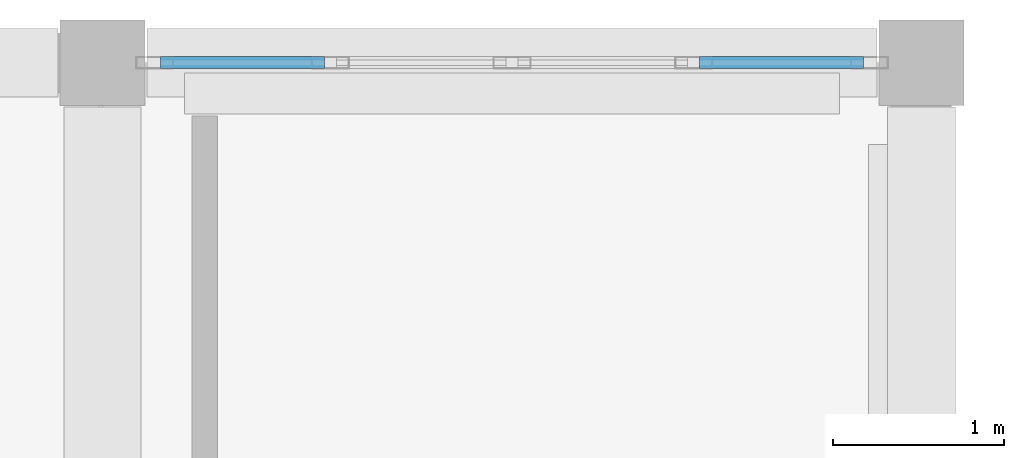
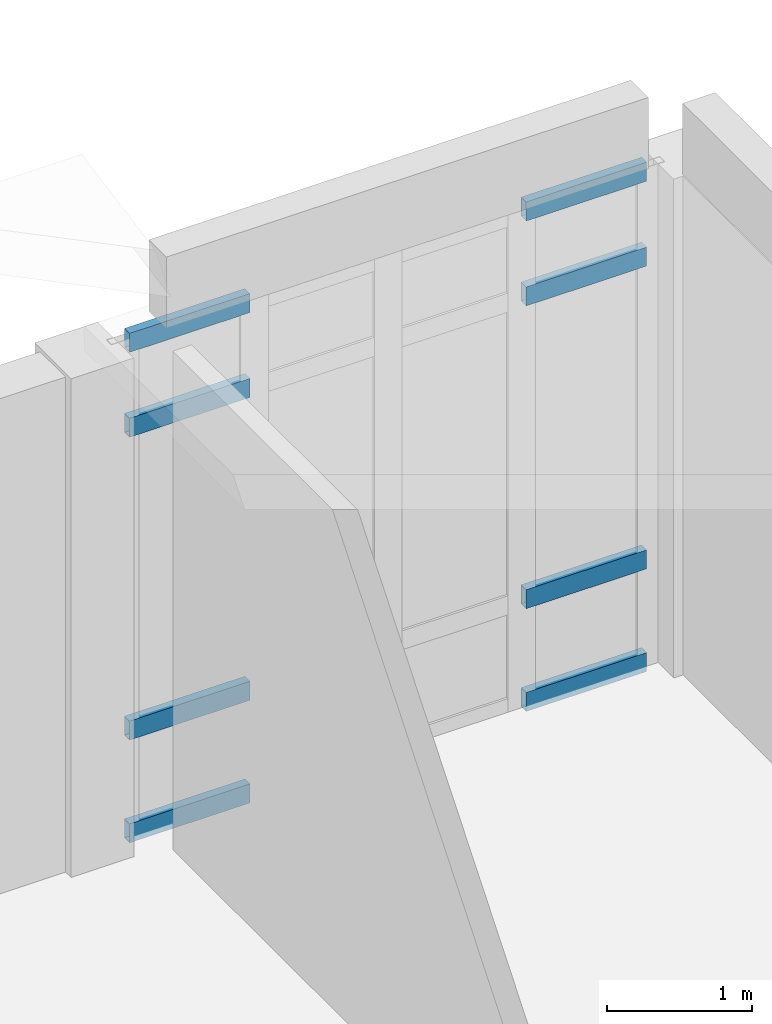
# One storey, part 119 of 164: 8 members, 1 element without a shape of its own.
"""IFC4 building model written with IfcOpenShell, lengths in metres."""

from ifc_helpers import new_model, si_unit, direction, frame, origin, origin_2d, place, context, subcontext, project, spatial, hollow_rectangle, extrude, material, layer, layer_set, material_profile, profile_set, type_object, element, aggregate, save


model = new_model("IFC4")

# Units and contexts
model_context = context("Model", 3, precision=1e-05, world=origin(), true_north=direction((0.0, 1.0)))
body_context = subcontext(model_context, "Body", "Model", "MODEL_VIEW")
ifc_project = project(units=[si_unit("LENGTHUNIT", "METRE"), si_unit("AREAUNIT", "SQUARE_METRE"), si_unit("VOLUMEUNIT", "CUBIC_METRE"), si_unit("PLANEANGLEUNIT", "RADIAN"), si_unit("MASSUNIT", "GRAM", prefix="KILO")], contexts=[model_context])

# Site, building, storey
site_placement = place(None, origin())
site = spatial("IfcSite", under=ifc_project, at=site_placement, CompositionType="ELEMENT")
building_placement = place(site_placement, origin())
building = spatial("IfcBuilding", under=site, at=building_placement, Name="Mawjan Specialist Oncology Clinic", CompositionType="ELEMENT")
storey_placement = place(building_placement, frame((0.0, 0.0, 5.0)))
storey = spatial("IfcBuildingStorey", under=building, at=storey_placement, Name="L01", CompositionType="ELEMENT", Elevation=5.0)

# Curtain wall, members
ifc_material_1 = material(Name="Unitised spectrally selective aluminium curtain wall", Category="aluminium")
ifc_layer = layer(ifc_material_1, 0.179931640625, Name="Unitised spectrally selective aluminium curtain wall", Category="aluminium")
ifc_layer_set = layer_set([ifc_layer], Name="Unitised spectrally selective aluminium curtain wall")
curtain_wall_type = type_object("IfcCurtainWallType", Name="CW-64", PredefinedType="NOTDEFINED", material=ifc_layer_set)
curtain_wall_placement = place(storey_placement, origin())
curtain_wall = element("IfcCurtainWall", 1, at=curtain_wall_placement, inside=storey, type_object=curtain_wall_type, Name="L01 Unitised Curtain Wall CW-L01-123", PredefinedType="NOTDEFINED")
ifc_material_2 = material(Name="Thermally broken aluminium 6063-T6", Category="aluminium")
ifc_material_profile = material_profile(ifc_material_2, hollow_rectangle(XDim=0.070068359375, YDim=0.159912109375, WallThickness=0.00390625, at=origin_2d()), Name="ALU TRANSOM 160x70x4", Category="aluminium")
ifc_profile_set = profile_set([ifc_material_profile], Name="Thermally broken aluminium 6063-T6")
member_type = type_object("IfcMemberType", Name="CW-T160", PredefinedType="USERDEFINED", material=ifc_profile_set)
member_1_placement = place(storey_placement, frame((98.739990234375, 113.300048828125, 0.034912109375), z_axis=(1.0, 0.0, 0.0), x_axis=(0.0, 1.0, 0.0)))
member_1 = element("IfcMember", 2, at=member_1_placement, type_object=member_type, Name="CW-64 transom 1.1", ObjectType="TRANSOM", PredefinedType="USERDEFINED", context=body_context, shape_type="SweptSolid", body=[
    extrude(hollow_rectangle(XDim=0.070068359375, YDim=0.159912109375, WallThickness=0.00390625, at=origin_2d()), origin(), (0.0, 0.0, 1.0), 0.9599609375),
])
member_2_placement = place(storey_placement, frame((98.739990234375, 113.300048828125, 0.89990234375), z_axis=(1.0, 0.0, 0.0), x_axis=(0.0, 1.0, 0.0)))
member_2 = element("IfcMember", 3, at=member_2_placement, type_object=member_type, Name="CW-64 transom 1.2", ObjectType="TRANSOM", PredefinedType="USERDEFINED", context=body_context, shape_type="SweptSolid", body=[
    extrude(hollow_rectangle(XDim=0.070068359375, YDim=0.159912109375, WallThickness=0.00390625, at=origin_2d()), origin(), (0.0, 0.0, 1.0), 0.9599609375),
])
member_3_placement = place(storey_placement, frame((98.739990234375, 113.300048828125, 3.449951171875), z_axis=(1.0, 0.0, 0.0), x_axis=(0.0, 1.0, 0.0)))
member_3 = element("IfcMember", 4, at=member_3_placement, type_object=member_type, Name="CW-64 transom 1.3", ObjectType="TRANSOM", PredefinedType="USERDEFINED", context=body_context, shape_type="SweptSolid", body=[
    extrude(hollow_rectangle(XDim=0.070068359375, YDim=0.159912109375, WallThickness=0.00390625, at=origin_2d()), origin(), (0.0, 0.0, 1.0), 0.9599609375),
])
member_4_placement = place(storey_placement, frame((98.739990234375, 113.300048828125, 4.1650390625), z_axis=(1.0, 0.0, 0.0), x_axis=(0.0, 1.0, 0.0)))
member_4 = element("IfcMember", 5, at=member_4_placement, type_object=member_type, Name="CW-64 transom 1.4", ObjectType="TRANSOM", PredefinedType="USERDEFINED", context=body_context, shape_type="SweptSolid", body=[
    extrude(hollow_rectangle(XDim=0.070068359375, YDim=0.159912109375, WallThickness=0.00390625, at=origin_2d()), origin(), (0.0, 0.0, 1.0), 0.9599609375),
])
member_5_placement = place(storey_placement, frame((101.89990234375, 113.300048828125, 0.034912109375), z_axis=(1.0, 0.0, 0.0), x_axis=(0.0, 1.0, 0.0)))
member_5 = element("IfcMember", 6, at=member_5_placement, type_object=member_type, Name="CW-64 transom 4.1", ObjectType="TRANSOM", PredefinedType="USERDEFINED", context=body_context, shape_type="SweptSolid", body=[
    extrude(hollow_rectangle(XDim=0.070068359375, YDim=0.159912109375, WallThickness=0.00390625, at=origin_2d()), origin(), (0.0, 0.0, 1.0), 0.960205078125),
])
member_6_placement = place(storey_placement, frame((101.89990234375, 113.300048828125, 0.89990234375), z_axis=(1.0, 0.0, 0.0), x_axis=(0.0, 1.0, 0.0)))
member_6 = element("IfcMember", 7, at=member_6_placement, type_object=member_type, Name="CW-64 transom 4.2", ObjectType="TRANSOM", PredefinedType="USERDEFINED", context=body_context, shape_type="SweptSolid", body=[
    extrude(hollow_rectangle(XDim=0.070068359375, YDim=0.159912109375, WallThickness=0.00390625, at=origin_2d()), origin(), (0.0, 0.0, 1.0), 0.960205078125),
])
member_7_placement = place(storey_placement, frame((101.89990234375, 113.300048828125, 3.449951171875), z_axis=(1.0, 0.0, 0.0), x_axis=(0.0, 1.0, 0.0)))
member_7 = element("IfcMember", 8, at=member_7_placement, type_object=member_type, Name="CW-64 transom 4.3", ObjectType="TRANSOM", PredefinedType="USERDEFINED", context=body_context, shape_type="SweptSolid", body=[
    extrude(hollow_rectangle(XDim=0.070068359375, YDim=0.159912109375, WallThickness=0.00390625, at=origin_2d()), origin(), (0.0, 0.0, 1.0), 0.960205078125),
])
member_8_placement = place(storey_placement, frame((101.89990234375, 113.300048828125, 4.1650390625), z_axis=(1.0, 0.0, 0.0), x_axis=(0.0, 1.0, 0.0)))
member_8 = element("IfcMember", 9, at=member_8_placement, type_object=member_type, Name="CW-64 transom 4.4", ObjectType="TRANSOM", PredefinedType="USERDEFINED", context=body_context, shape_type="SweptSolid", body=[
    extrude(hollow_rectangle(XDim=0.070068359375, YDim=0.159912109375, WallThickness=0.00390625, at=origin_2d()), origin(), (0.0, 0.0, 1.0), 0.960205078125),
])
aggregate(curtain_wall, [member_1, member_2, member_3, member_4, member_5, member_6, member_7, member_8])

save(model, "model.ifc")
